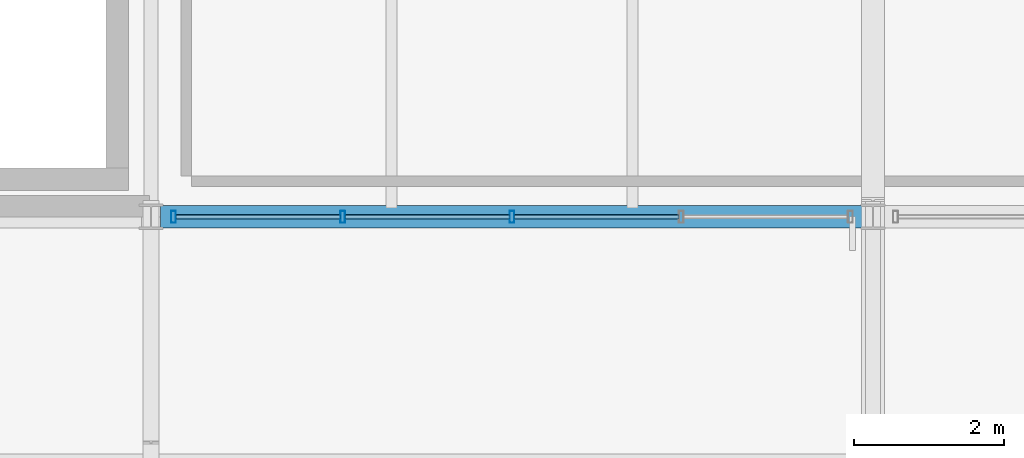
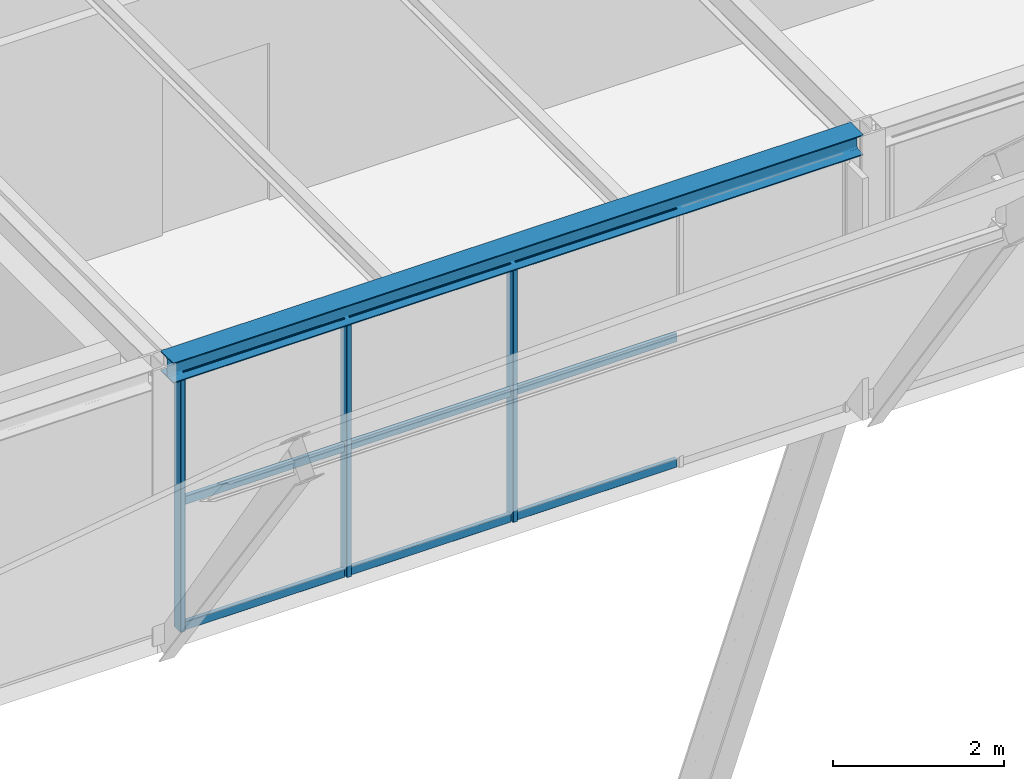
# One storey, part 70 of 126: 12 members, 1 beam, 1 element without a shape of its own.
"""IFC4 building model written with IfcOpenShell, lengths in metres."""

from ifc_helpers import new_model, si_unit, direction, frame, origin, origin_2d, place, context, subcontext, project, spatial, hollow_rectangle, i_section, extrude, material, material_profile, profile_set, type_object, element, aggregate, save


model = new_model("IFC4")

# Units and contexts
model_context = context("Model", 3, precision=1e-05, world=origin(), true_north=direction((0.0, 1.0)))
body_context = subcontext(model_context, "Body", "Model", "MODEL_VIEW")
ifc_project = project(units=[si_unit("LENGTHUNIT", "METRE"), si_unit("AREAUNIT", "SQUARE_METRE"), si_unit("VOLUMEUNIT", "CUBIC_METRE"), si_unit("PLANEANGLEUNIT", "RADIAN"), si_unit("MASSUNIT", "GRAM", prefix="KILO")], contexts=[model_context])

# Site, building, storey
site_placement = place(None, origin())
site = spatial("IfcSite", under=ifc_project, at=site_placement, CompositionType="ELEMENT")
building_placement = place(site_placement, origin())
building = spatial("IfcBuilding", under=site, at=building_placement, Name="Coralgate Yard Interchange", CompositionType="ELEMENT")
storey_placement = place(building_placement, frame((0.0, 0.0, 10.5)))
storey = spatial("IfcBuildingStorey", under=building, at=storey_placement, Name="L02", CompositionType="ELEMENT", Elevation=10.5)

# Beam
ifc_material_1 = material(Name="Structural steel S355J2", Category="steel")
ifc_material_profile_1 = material_profile(ifc_material_1, i_section(OverallWidth=0.300048828125, OverallDepth=0.2900390625, WebThickness=0.008544921875, FlangeThickness=0.013916015625, FilletRadius=0.027099609375, at=origin_2d()), Name="HEA 300")
ifc_profile_set_1 = profile_set([ifc_material_profile_1], Name="Structural steel S355J2")
beam_type = type_object("IfcBeamType", Name="BM-SP-2", PredefinedType="SPANDREL", material=ifc_profile_set_1)
beam_placement = place(storey_placement, frame((57.727294921875, 76.800048828125, 3.804931640625), z_axis=(1.0, 0.0, 0.0), x_axis=(0.0, 1.0, 0.0)))
element("IfcBeam", 1, at=beam_placement, inside=storey, type_object=beam_type, Name="L02 primary grid beam Y8 X6-7", PredefinedType="SPANDREL", context=body_context, shape_type="SweptSolid", body=[
    extrude(i_section(OverallWidth=0.300048828125, OverallDepth=0.2900390625, WebThickness=0.008544921875, FlangeThickness=0.013916015625, FilletRadius=0.027099609375, at=origin_2d()), origin(), (0.0, 0.0, 1.0), 9.345458984375),
])

# Curtain wall, members
ifc_material_2 = material(Name="Anodised coastal aluminium and solar-control low-E glass", Category="aluminium")
curtain_wall_type = type_object("IfcCurtainWallType", Name="CW-CW-L02-A", PredefinedType="NOTDEFINED", material=ifc_material_2)
curtain_wall_placement = place(storey_placement, origin())
curtain_wall = element("IfcCurtainWall", 2, at=curtain_wall_placement, inside=storey, type_object=curtain_wall_type, Name="L02 unitised curtain wall CW-L02-S-06-08", PredefinedType="NOTDEFINED")
ifc_material_3 = material(Name="Anodised coastal aluminium 6063-T6", Category="aluminium")
ifc_material_profile_2 = material_profile(ifc_material_3, hollow_rectangle(XDim=0.06494140625, YDim=0.159912109375, WallThickness=0.00390625, InnerFilletRadius=0.00390625, OuterFilletRadius=0.008056640625, at=origin_2d()), Name="ALU 65x160x4")
ifc_profile_set_2 = profile_set([ifc_material_profile_2], Name="Anodised coastal aluminium 6063-T6")
member_type_1 = type_object("IfcMemberType", Name="MB-MUL-160", PredefinedType="MULLION", material=ifc_profile_set_2)
member_1_placement = place(storey_placement, frame((62.39990234375, 76.800048828125, 0.0), z_axis=(0.0, 0.0, 1.0), x_axis=(1.0, 0.0, 0.0)))
member_1 = element("IfcMember", 3, at=member_1_placement, type_object=member_type_1, Name="CW-L02-S-06-08 vertical mullion 3", PredefinedType="MULLION", context=body_context, shape_type="SweptSolid", body=[
    extrude(hollow_rectangle(XDim=0.06494140625, YDim=0.159912109375, WallThickness=0.00390625, InnerFilletRadius=0.00390625, OuterFilletRadius=0.008056640625, at=origin_2d()), origin(), (0.0, 0.0, 1.0), 3.659912109375),
])
member_2_placement = place(storey_placement, frame((60.14990234375, 76.800048828125, 0.0), z_axis=(0.0, 0.0, 1.0), x_axis=(1.0, 0.0, 0.0)))
member_2 = element("IfcMember", 4, at=member_2_placement, type_object=member_type_1, Name="CW-L02-S-06-08 vertical mullion 4", PredefinedType="MULLION", context=body_context, shape_type="SweptSolid", body=[
    extrude(hollow_rectangle(XDim=0.06494140625, YDim=0.159912109375, WallThickness=0.00390625, InnerFilletRadius=0.00390625, OuterFilletRadius=0.008056640625, at=origin_2d()), origin(), (0.0, 0.0, 1.0), 3.659912109375),
])
member_3_placement = place(storey_placement, frame((57.89990234375, 76.800048828125, 0.0), z_axis=(0.0, 0.0, 1.0), x_axis=(1.0, 0.0, 0.0)))
member_3 = element("IfcMember", 5, at=member_3_placement, type_object=member_type_1, Name="CW-L02-S-06-08 vertical mullion 5", PredefinedType="MULLION", context=body_context, shape_type="SweptSolid", body=[
    extrude(hollow_rectangle(XDim=0.06494140625, YDim=0.159912109375, WallThickness=0.00390625, InnerFilletRadius=0.00390625, OuterFilletRadius=0.008056640625, at=origin_2d()), origin(), (0.0, 0.0, 1.0), 3.659912109375),
])
ifc_material_profile_3 = material_profile(ifc_material_3, hollow_rectangle(XDim=0.06005859375, YDim=0.1201171875, WallThickness=0.00341796875, InnerFilletRadius=0.00341796875, OuterFilletRadius=0.007080078125, at=origin_2d()), Name="ALU 60x120x3.5")
ifc_profile_set_3 = profile_set([ifc_material_profile_3], Name="Anodised coastal aluminium 6063-T6")
member_type_2 = type_object("IfcMemberType", Name="MB-TRN-120", PredefinedType="USERDEFINED", material=ifc_profile_set_3)
member_4_placement = place(storey_placement, frame((64.6201171875, 76.800048828125, 0.034912109375), z_axis=(-1.0, 0.0, 0.0), x_axis=(0.0, -1.0, 0.0)))
member_4 = element("IfcMember", 6, at=member_4_placement, type_object=member_type_2, Name="CW-L02-S-06-08 horizontal transom 2-1", ObjectType="TRANSOM", PredefinedType="USERDEFINED", context=body_context, shape_type="SweptSolid", body=[
    extrude(hollow_rectangle(XDim=0.06005859375, YDim=0.1201171875, WallThickness=0.00341796875, InnerFilletRadius=0.00341796875, OuterFilletRadius=0.007080078125, at=origin_2d()), origin(), (0.0, 0.0, 1.0), 2.190185546875),
])
member_5_placement = place(storey_placement, frame((64.6201171875, 76.800048828125, 1.830078125), z_axis=(-1.0, 0.0, 0.0), x_axis=(0.0, -1.0, 0.0)))
member_5 = element("IfcMember", 7, at=member_5_placement, type_object=member_type_2, Name="CW-L02-S-06-08 horizontal transom 2-2", ObjectType="TRANSOM", PredefinedType="USERDEFINED", context=body_context, shape_type="SweptSolid", body=[
    extrude(hollow_rectangle(XDim=0.06005859375, YDim=0.1201171875, WallThickness=0.00341796875, InnerFilletRadius=0.00341796875, OuterFilletRadius=0.007080078125, at=origin_2d()), origin(), (0.0, 0.0, 1.0), 2.190185546875),
])
member_6_placement = place(storey_placement, frame((64.6201171875, 76.800048828125, 3.625), z_axis=(-1.0, 0.0, 0.0), x_axis=(0.0, -1.0, 0.0)))
member_6 = element("IfcMember", 8, at=member_6_placement, type_object=member_type_2, Name="CW-L02-S-06-08 horizontal transom 2-3", ObjectType="TRANSOM", PredefinedType="USERDEFINED", context=body_context, shape_type="SweptSolid", body=[
    extrude(hollow_rectangle(XDim=0.06005859375, YDim=0.1201171875, WallThickness=0.00341796875, InnerFilletRadius=0.00341796875, OuterFilletRadius=0.007080078125, at=origin_2d()), origin(), (0.0, 0.0, 1.0), 2.190185546875),
])
member_7_placement = place(storey_placement, frame((62.3701171875, 76.800048828125, 0.034912109375), z_axis=(-1.0, 0.0, 0.0), x_axis=(0.0, -1.0, 0.0)))
member_7 = element("IfcMember", 9, at=member_7_placement, type_object=member_type_2, Name="CW-L02-S-06-08 horizontal transom 3-1", ObjectType="TRANSOM", PredefinedType="USERDEFINED", context=body_context, shape_type="SweptSolid", body=[
    extrude(hollow_rectangle(XDim=0.06005859375, YDim=0.1201171875, WallThickness=0.00341796875, InnerFilletRadius=0.00341796875, OuterFilletRadius=0.007080078125, at=origin_2d()), origin(), (0.0, 0.0, 1.0), 2.190185546875),
])
member_8_placement = place(storey_placement, frame((62.3701171875, 76.800048828125, 1.830078125), z_axis=(-1.0, 0.0, 0.0), x_axis=(0.0, -1.0, 0.0)))
member_8 = element("IfcMember", 10, at=member_8_placement, type_object=member_type_2, Name="CW-L02-S-06-08 horizontal transom 3-2", ObjectType="TRANSOM", PredefinedType="USERDEFINED", context=body_context, shape_type="SweptSolid", body=[
    extrude(hollow_rectangle(XDim=0.06005859375, YDim=0.1201171875, WallThickness=0.00341796875, InnerFilletRadius=0.00341796875, OuterFilletRadius=0.007080078125, at=origin_2d()), origin(), (0.0, 0.0, 1.0), 2.190185546875),
])
member_9_placement = place(storey_placement, frame((62.3701171875, 76.800048828125, 3.625), z_axis=(-1.0, 0.0, 0.0), x_axis=(0.0, -1.0, 0.0)))
member_9 = element("IfcMember", 11, at=member_9_placement, type_object=member_type_2, Name="CW-L02-S-06-08 horizontal transom 3-3", ObjectType="TRANSOM", PredefinedType="USERDEFINED", context=body_context, shape_type="SweptSolid", body=[
    extrude(hollow_rectangle(XDim=0.06005859375, YDim=0.1201171875, WallThickness=0.00341796875, InnerFilletRadius=0.00341796875, OuterFilletRadius=0.007080078125, at=origin_2d()), origin(), (0.0, 0.0, 1.0), 2.190185546875),
])
member_10_placement = place(storey_placement, frame((60.1201171875, 76.800048828125, 0.034912109375), z_axis=(-1.0, 0.0, 0.0), x_axis=(0.0, -1.0, 0.0)))
member_10 = element("IfcMember", 12, at=member_10_placement, type_object=member_type_2, Name="CW-L02-S-06-08 horizontal transom 4-1", ObjectType="TRANSOM", PredefinedType="USERDEFINED", context=body_context, shape_type="SweptSolid", body=[
    extrude(hollow_rectangle(XDim=0.06005859375, YDim=0.1201171875, WallThickness=0.00341796875, InnerFilletRadius=0.00341796875, OuterFilletRadius=0.007080078125, at=origin_2d()), origin(), (0.0, 0.0, 1.0), 2.190185546875),
])
member_11_placement = place(storey_placement, frame((60.1201171875, 76.800048828125, 1.830078125), z_axis=(-1.0, 0.0, 0.0), x_axis=(0.0, -1.0, 0.0)))
member_11 = element("IfcMember", 13, at=member_11_placement, type_object=member_type_2, Name="CW-L02-S-06-08 horizontal transom 4-2", ObjectType="TRANSOM", PredefinedType="USERDEFINED", context=body_context, shape_type="SweptSolid", body=[
    extrude(hollow_rectangle(XDim=0.06005859375, YDim=0.1201171875, WallThickness=0.00341796875, InnerFilletRadius=0.00341796875, OuterFilletRadius=0.007080078125, at=origin_2d()), origin(), (0.0, 0.0, 1.0), 2.190185546875),
])
member_12_placement = place(storey_placement, frame((60.1201171875, 76.800048828125, 3.625), z_axis=(-1.0, 0.0, 0.0), x_axis=(0.0, -1.0, 0.0)))
member_12 = element("IfcMember", 14, at=member_12_placement, type_object=member_type_2, Name="CW-L02-S-06-08 horizontal transom 4-3", ObjectType="TRANSOM", PredefinedType="USERDEFINED", context=body_context, shape_type="SweptSolid", body=[
    extrude(hollow_rectangle(XDim=0.06005859375, YDim=0.1201171875, WallThickness=0.00341796875, InnerFilletRadius=0.00341796875, OuterFilletRadius=0.007080078125, at=origin_2d()), origin(), (0.0, 0.0, 1.0), 2.190185546875),
])
aggregate(curtain_wall, [member_1, member_2, member_3, member_4, member_5, member_6, member_7, member_8, member_9, member_10, member_11, member_12])

save(model, "model.ifc")
